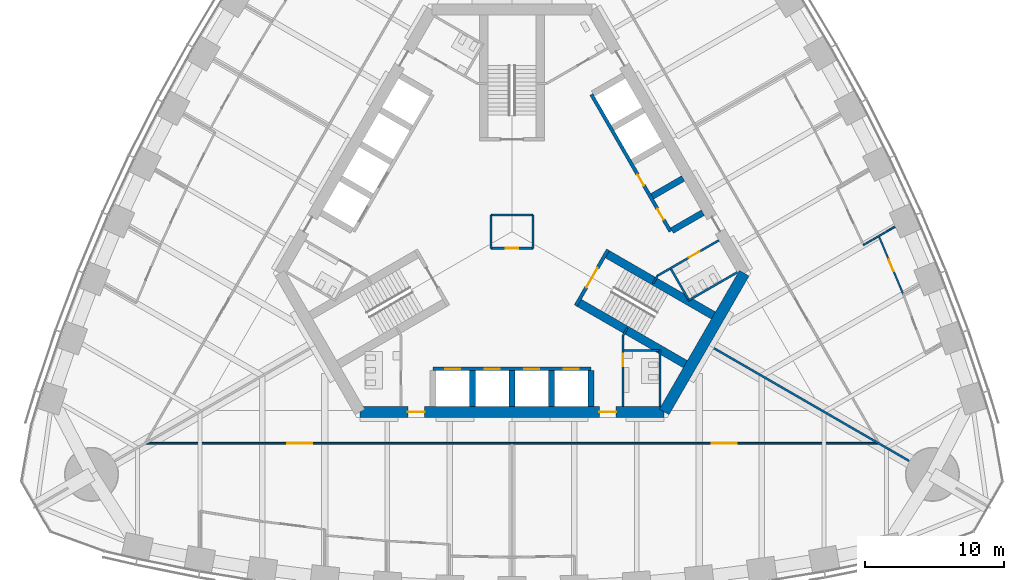
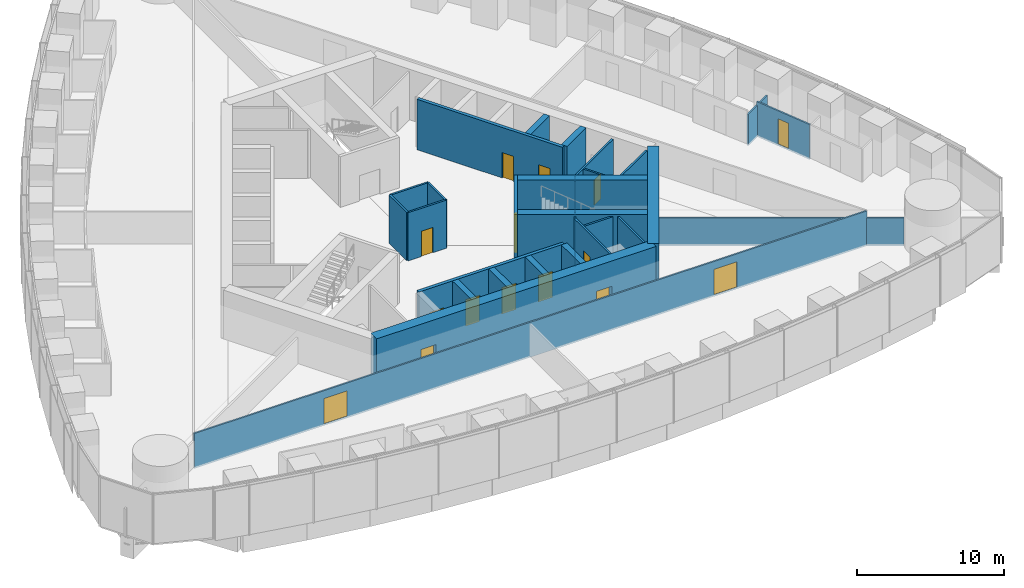
# One storey, part 11 of 18: 29 walls, 15 doors, 15 openings.
"""IFC4 building model written with IfcOpenShell, lengths in metres."""

from ifc_helpers import new_model, si_unit, direction, frame, frame_2d, origin, place, context, subcontext, project, spatial, rectangle, extrude, material, layer, layer_set, type_object, element, fill, save


model = new_model("IFC4")

# Units and contexts
model_context = context("Model", 3, precision=1e-05, world=origin(), true_north=direction((0.0, 1.0)))
body_context = subcontext(model_context, "Body", "Model", "MODEL_VIEW")
ifc_project = project(units=[si_unit("LENGTHUNIT", "METRE"), si_unit("AREAUNIT", "SQUARE_METRE"), si_unit("VOLUMEUNIT", "CUBIC_METRE"), si_unit("PLANEANGLEUNIT", "RADIAN"), si_unit("MASSUNIT", "GRAM", prefix="KILO")], contexts=[model_context])

# Site, building, storey
site_placement = place(None, origin())
site = spatial("IfcSite", under=ifc_project, at=site_placement, CompositionType="ELEMENT")
building_placement = place(site_placement, origin())
building = spatial("IfcBuilding", under=site, at=building_placement, Name="Trefoil Bronze Tower", CompositionType="ELEMENT")
storey_placement = place(building_placement, frame((0.0, 0.0, 161.89990234375)))
storey = spatial("IfcBuildingStorey", under=building, at=storey_placement, Name="L37", CompositionType="ELEMENT", Elevation=161.89990234375)

# Wall, openings, doors
ifc_material_1 = material(Name="Concrete B80", Category="concrete")
ifc_layer_1 = layer(ifc_material_1, 0.800048828125)
ifc_layer_set_1 = layer_set([ifc_layer_1], Name="Core wall 800")
wall_type_1 = type_object("IfcWallType", Name="Core wall 800", PredefinedType="SHEAR", material=ifc_layer_set_1)
wall_1_placement = place(storey_placement, frame((-10.9697265625, -13.0, 0.0), z_axis=(0.0, 0.0, 1.0), x_axis=(1.0, 0.0, 0.0)))
wall_1 = element("IfcWall", 1, at=wall_1_placement, inside=storey, type_object=wall_type_1, Name="Core long wall 1 L37", PredefinedType="SHEAR", context=body_context, shape_type="SweptSolid", body=[
    extrude(rectangle(XDim=21.939453125, YDim=0.800048828125, at=frame_2d((10.9697265625, 0.0))), origin(), (0.0, 0.0, 1.0), 4.2001953125),
])
opening_1_placement = place(wall_1_placement, frame((17.269775390625, 0.0, 0.0)))
opening_1 = element("IfcOpeningElement", 2, at=opening_1_placement, cuts=wall_1, Name="Opening D2", PredefinedType="OPENING", context=body_context, shape_type="SweptSolid", body=[
    extrude(rectangle(XDim=1.199951171875, YDim=2.10009765625, at=frame_2d((0.60009765625, 1.050048828125))), frame((0.0, 0.409912109375, 0.0), z_axis=(0.0, -1.0, 0.0), x_axis=(1.0, 0.0, 0.0)), (0.0, 0.0, 1.0), 0.820068359375),
])
opening_2_placement = place(wall_1_placement, frame((3.4697265625, 0.0, 0.0)))
opening_2 = element("IfcOpeningElement", 3, at=opening_2_placement, cuts=wall_1, Name="Opening D2", PredefinedType="OPENING", context=body_context, shape_type="SweptSolid", body=[
    extrude(rectangle(XDim=1.199951171875, YDim=2.10009765625, at=frame_2d((0.60009765625, 1.050048828125))), frame((0.0, 0.409912109375, 0.0), z_axis=(0.0, -1.0, 0.0), x_axis=(1.0, 0.0, 0.0)), (0.0, 0.0, 1.0), 0.820068359375),
])
ifc_material_2 = material(Name="Steel door", Category="steel")
door_type_1 = type_object("IfcDoorType", Name="Lobby door 1200", OperationType="SINGLE_SWING_RIGHT", PredefinedType="DOOR", material=ifc_material_2)
door_1_placement = place(opening_1_placement, origin())
door_1 = element("IfcDoor", 4, at=door_1_placement, inside=storey, type_object=door_type_1, Name="Lobby door F1+ L37", OperationType="SINGLE_SWING_RIGHT", OverallHeight=2.10009765625, OverallWidth=1.199951171875, PredefinedType="DOOR", context=body_context, shape_type="SweptSolid", body=[
    extrude(rectangle(XDim=1.199951171875, YDim=2.10009765625, at=frame_2d((0.60009765625, 1.050048828125))), frame((0.0, 0.02490234375, 0.0), z_axis=(0.0, -1.0, 0.0), x_axis=(1.0, 0.0, 0.0)), (0.0, 0.0, 1.0), 0.050048828125),
])
fill(opening_1, door_1)
door_2_placement = place(opening_2_placement, origin())
door_2 = element("IfcDoor", 5, at=door_2_placement, inside=storey, type_object=door_type_1, Name="Lobby door F1- L37", OperationType="SINGLE_SWING_LEFT", OverallHeight=2.10009765625, OverallWidth=1.199951171875, PredefinedType="DOOR", context=body_context, shape_type="SweptSolid", body=[
    extrude(rectangle(XDim=1.199951171875, YDim=2.10009765625, at=frame_2d((0.60009765625, 1.050048828125))), frame((0.0, 0.02490234375, 0.0), z_axis=(0.0, -1.0, 0.0), x_axis=(1.0, 0.0, 0.0)), (0.0, 0.0, 1.0), 0.050048828125),
])
fill(opening_2, door_2)

# Wall
wall_2_placement = place(storey_placement, frame((10.9697265625, -13.0, 0.0), z_axis=(0.0, 0.0, 1.0), x_axis=(0.499995765644, 0.866027848477, 0.0)))
element("IfcWall", 6, at=wall_2_placement, inside=storey, type_object=wall_type_1, Name="Core short wall 1 L37", PredefinedType="SHEAR", context=body_context, shape_type="SweptSolid", body=[
    extrude(rectangle(XDim=11.546875, YDim=0.800048828125, at=frame_2d((5.7734375, 0.0))), origin(), (0.0, 0.0, 1.0), 4.2001953125),
])

# Wall, openings, doors
ifc_material_3 = material(Name="Glazed partition", Category="glass")
ifc_layer_2 = layer(ifc_material_3, 0.1201171875)
ifc_layer_set_2 = layer_set([ifc_layer_2], Name="Glazed partition 120")
wall_type_2 = type_object("IfcWallType", Name="Glazed partition 120", PredefinedType="PARTITIONING", material=ifc_layer_set_2)
wall_3_placement = place(storey_placement, frame((-26.398193359375, -15.260009765625, 0.0), z_axis=(0.0, 0.0, 1.0), x_axis=(1.0, 0.0, 0.0)))
wall_3 = element("IfcWall", 7, at=wall_3_placement, inside=storey, type_object=wall_type_2, Name="Partition F1 L37", PredefinedType="PARTITIONING", context=body_context, shape_type="SweptSolid", body=[
    extrude(rectangle(XDim=52.79638671875, YDim=0.1201171875, at=frame_2d((26.398193359375, 0.0))), origin(), (0.0, 0.0, 1.0), 2.900146484375),
])
opening_3_placement = place(wall_3_placement, frame((10.199951171875, 0.0, 0.14990234375)))
opening_3 = element("IfcOpeningElement", 8, at=opening_3_placement, cuts=wall_3, Name="Opening D10", PredefinedType="OPENING", context=body_context, shape_type="SweptSolid", body=[
    extrude(rectangle(XDim=1.800048828125, YDim=2.10009765625, at=frame_2d((0.89990234375, 1.050048828125))), frame((0.0, 0.070068359375, 0.0), z_axis=(0.0, -1.0, 0.0), x_axis=(1.0, 0.0, 0.0)), (0.0, 0.0, 1.0), 0.14013671875),
])
opening_4_placement = place(wall_3_placement, frame((40.800048828125, 0.0, 0.14990234375)))
opening_4 = element("IfcOpeningElement", 9, at=opening_4_placement, cuts=wall_3, Name="Opening D10", PredefinedType="OPENING", context=body_context, shape_type="SweptSolid", body=[
    extrude(rectangle(XDim=1.800048828125, YDim=2.10009765625, at=frame_2d((0.89990234375, 1.050048828125))), frame((0.0, 0.070068359375, 0.0), z_axis=(0.0, -1.0, 0.0), x_axis=(1.0, 0.0, 0.0)), (0.0, 0.0, 1.0), 0.14013671875),
])
ifc_material_4 = material(Name="Timber door", Category="wood")
door_type_2 = type_object("IfcDoorType", Name="Double door 1800", OperationType="DOUBLE_DOOR_SINGLE_SWING", PredefinedType="DOOR", material=ifc_material_4)
door_3_placement = place(opening_3_placement, frame((1.800048828125, 0.0, 0.0), z_axis=(0.0, 0.0, 1.0), x_axis=(-1.0, 0.0, 0.0)))
door_3 = element("IfcDoor", 10, at=door_3_placement, inside=storey, type_object=door_type_2, Name="Corridor door F1 L37", OperationType="DOUBLE_DOOR_SINGLE_SWING", OverallHeight=2.10009765625, OverallWidth=1.800048828125, PredefinedType="DOOR", context=body_context, shape_type="SweptSolid", body=[
    extrude(rectangle(XDim=1.800048828125, YDim=2.10009765625, at=frame_2d((0.89990234375, 1.050048828125))), frame((0.0, 0.02490234375, 0.0), z_axis=(0.0, -1.0, 0.0), x_axis=(1.0, 0.0, 0.0)), (0.0, 0.0, 1.0), 0.050048828125),
])
fill(opening_3, door_3)
door_4_placement = place(opening_4_placement, frame((1.800048828125, 0.0, 0.0), z_axis=(0.0, 0.0, 1.0), x_axis=(-1.0, 0.0, 0.0)))
door_4 = element("IfcDoor", 11, at=door_4_placement, inside=storey, type_object=door_type_2, Name="Corridor door F1 L37", OperationType="DOUBLE_DOOR_SINGLE_SWING", OverallHeight=2.10009765625, OverallWidth=1.800048828125, PredefinedType="DOOR", context=body_context, shape_type="SweptSolid", body=[
    extrude(rectangle(XDim=1.800048828125, YDim=2.10009765625, at=frame_2d((0.89990234375, 1.050048828125))), frame((0.0, 0.02490234375, 0.0), z_axis=(0.0, -1.0, 0.0), x_axis=(1.0, 0.0, 0.0)), (0.0, 0.0, 1.0), 0.050048828125),
])
fill(opening_4, door_4)

# Wall, opening, door
wall_4_placement = place(storey_placement, frame((28.2001953125, -4.503173828125, 0.0), z_axis=(0.0, 0.0, 1.0), x_axis=(-0.386742917128, 0.92218757097, 0.0)))
wall_4 = element("IfcWall", 12, at=wall_4_placement, inside=storey, type_object=wall_type_2, Name="Partition F2 L37", PredefinedType="PARTITIONING", context=body_context, shape_type="SweptSolid", body=[
    extrude(rectangle(XDim=4.536376953125, YDim=0.1201171875, at=frame_2d((2.26806640625, 0.0))), origin(), (0.0, 0.0, 1.0), 2.900146484375),
])
opening_5_placement = place(wall_4_placement, frame((1.800048828125, 0.0, 0.14990234375)))
opening_5 = element("IfcOpeningElement", 13, at=opening_5_placement, cuts=wall_4, Name="Opening D8", PredefinedType="OPENING", context=body_context, shape_type="SweptSolid", body=[
    extrude(rectangle(XDim=0.89990234375, YDim=2.10009765625, at=frame_2d((0.449951171875, 1.050048828125))), frame((0.0, 0.070068359375, 0.0), z_axis=(0.0, -1.0, 0.0), x_axis=(1.0, 0.0, 0.0)), (0.0, 0.0, 1.0), 0.14013671875),
])
ifc_material_5 = material(Name="Timber door", Category="wood")
door_type_3 = type_object("IfcDoorType", Name="Office door 900", OperationType="SINGLE_SWING_LEFT", PredefinedType="DOOR", material=ifc_material_5)
door_5_placement = place(opening_5_placement, frame((0.89990234375, 0.0, 0.0), z_axis=(0.0, 0.0, 1.0), x_axis=(-1.0, 0.0, 0.0)))
door_5 = element("IfcDoor", 14, at=door_5_placement, inside=storey, type_object=door_type_3, Name="Focus room door F2 L37", OperationType="SINGLE_SWING_RIGHT", OverallHeight=2.10009765625, OverallWidth=0.89990234375, PredefinedType="DOOR", context=body_context, shape_type="SweptSolid", body=[
    extrude(rectangle(XDim=0.89990234375, YDim=2.10009765625, at=frame_2d((0.449951171875, 1.050048828125))), frame((0.0, 0.02490234375, 0.0), z_axis=(0.0, -1.0, 0.0), x_axis=(1.0, 0.0, 0.0)), (0.0, 0.0, 1.0), 0.050048828125),
])
fill(opening_5, door_5)

# Walls
wall_5_placement = place(storey_placement, frame((25.341552734375, -0.95751953125, 0.0), z_axis=(0.0, 0.0, 1.0), x_axis=(0.866036074319, 0.499981517636, 0.0)))
element("IfcWall", 15, at=wall_5_placement, inside=storey, type_object=wall_type_2, Name="Partition F2 L37", PredefinedType="PARTITIONING", context=body_context, shape_type="SweptSolid", body=[
    extrude(rectangle(XDim=2.6103515625, YDim=0.1201171875, at=frame_2d((1.30517578125, 0.0))), origin(), (0.0, 0.0, 1.0), 2.60009765625),
])
ifc_material_6 = material(Name="Concrete B80", Category="concrete")
ifc_layer_3 = layer(ifc_material_6, 0.449951171875)
ifc_layer_set_3 = layer_set([ifc_layer_3], Name="Outrigger shaft wall 450")
wall_type_3 = type_object("IfcWallType", Name="Outrigger shaft wall 450", PredefinedType="SHEAR", material=ifc_layer_set_3)
for number, where, z_axis, x_axis, name in (
    (16, (-2.85009765625, -10.02490234375, 0.0), (0.0, 0.0, 1.0), (0.0, -1.0, 0.0), "Lift shaft side wall A1 L37"),
    (17, (0.0, -10.02490234375, 0.0), (0.0, 0.0, 1.0), (0.0, -1.0, 0.0), "Lift shaft side wall A2 L37"),
    (18, (2.85009765625, -10.02490234375, 0.0), (0.0, 0.0, 1.0), (0.0, -1.0, 0.0), "Lift shaft side wall A3 L37"),
    (19, (5.699951171875, -10.02490234375, 0.0), (0.0, 0.0, 1.0), (0.0, -1.0, 0.0), "Lift shaft side wall A4 L37"),
):
    element("IfcWall", number, at=place(storey_placement, frame(where, z_axis=z_axis, x_axis=x_axis)), inside=storey, type_object=wall_type_3, Name=name, PredefinedType="SHEAR", context=body_context, shape_type="SweptSolid", body=[
        extrude(rectangle(XDim=2.5751953125, YDim=0.449951171875, at=frame_2d((1.28759765625, 0.0))), origin(), (0.0, 0.0, 1.0), 4.2001953125),
    ])
for number, where, z_axis, x_axis, name in (
    (20, (11.531982421875, 0.076171875, 0.0), (0.0, 0.0, 1.0), (0.866005588531, 0.500034319456, 0.0), "Lift shaft side wall B0 L37"),
    (21, (10.10693359375, 2.54443359375, 0.0), (0.0, 0.0, 1.0), (0.866046643894, 0.499963209246, 0.0), "Lift shaft side wall B1 L37"),
):
    element("IfcWall", number, at=place(storey_placement, frame(where, z_axis=z_axis, x_axis=x_axis)), inside=storey, type_object=wall_type_3, Name=name, PredefinedType="SHEAR", context=body_context, shape_type="SweptSolid", body=[
        extrude(rectangle(XDim=2.574951171875, YDim=0.449951171875, at=frame_2d((1.28759765625, 0.0))), origin(), (0.0, 0.0, 1.0), 4.2001953125),
    ])

# Wall, opening, door
ifc_material_7 = material(Name="Gypsum board on steel studs", Category="steel")
ifc_layer_4 = layer(ifc_material_7, 0.14990234375)
ifc_layer_set_4 = layer_set([ifc_layer_4], Name="Partition 150")
wall_type_4 = type_object("IfcWallType", Name="Partition 150", PredefinedType="PARTITIONING", material=ifc_layer_set_4)
wall_6_placement = place(storey_placement, frame((8.0, -7.5, 0.0), z_axis=(0.0, 0.0, 1.0), x_axis=(0.0, -1.0, 0.0)))
wall_6 = element("IfcWall", 22, at=wall_6_placement, inside=storey, type_object=wall_type_4, Name="Passage wall F1+ L37", PredefinedType="PARTITIONING", context=body_context, shape_type="SweptSolid", body=[
    extrude(rectangle(XDim=5.10009765625, YDim=0.14990234375, at=frame_2d((2.550048828125, 0.0))), origin(), (0.0, 0.0, 1.0), 4.0),
])
opening_6_placement = place(wall_6_placement, frame((1.300048828125, 0.0, 0.0)))
opening_6 = element("IfcOpeningElement", 23, at=opening_6_placement, cuts=wall_6, Name="Opening D3", PredefinedType="OPENING", context=body_context, shape_type="SweptSolid", body=[
    extrude(rectangle(XDim=0.89990234375, YDim=2.10009765625, at=frame_2d((0.449951171875, 1.050048828125))), frame((0.0, 0.0849609375, 0.0), z_axis=(0.0, -1.0, 0.0), x_axis=(1.0, 0.0, 0.0)), (0.0, 0.0, 1.0), 0.169921875),
])
ifc_material_8 = material(Name="Timber door", Category="wood")
door_type_4 = type_object("IfcDoorType", Name="WC door 900", OperationType="SINGLE_SWING_LEFT", PredefinedType="DOOR", material=ifc_material_8)
door_6_placement = place(opening_6_placement, origin())
door_6 = element("IfcDoor", 24, at=door_6_placement, inside=storey, type_object=door_type_4, Name="WC (men) door L37", OperationType="SINGLE_SWING_LEFT", OverallHeight=2.10009765625, OverallWidth=0.89990234375, PredefinedType="DOOR", context=body_context, shape_type="SweptSolid", body=[
    extrude(rectangle(XDim=0.89990234375, YDim=2.10009765625, at=frame_2d((0.449951171875, 1.050048828125))), frame((0.0, 0.02490234375, 0.0), z_axis=(0.0, -1.0, 0.0), x_axis=(1.0, 0.0, 0.0)), (0.0, 0.0, 1.0), 0.050048828125),
])
fill(opening_6, door_6)

wall_7_placement = place(storey_placement, frame((10.4951171875, -3.17822265625, 0.0), z_axis=(0.0, 0.0, 1.0), x_axis=(0.86602216432, 0.500005610874, 0.0)))
wall_7 = element("IfcWall", 25, at=wall_7_placement, inside=storey, type_object=wall_type_4, Name="Passage wall F2- L37", PredefinedType="PARTITIONING", context=body_context, shape_type="SweptSolid", body=[
    extrude(rectangle(XDim=5.10009765625, YDim=0.14990234375, at=frame_2d((2.550048828125, 0.0))), origin(), (0.0, 0.0, 1.0), 4.0),
])
opening_7_placement = place(wall_7_placement, frame((2.60009765625, 0.0, 0.0)))
opening_7 = element("IfcOpeningElement", 26, at=opening_7_placement, cuts=wall_7, Name="Opening D3", PredefinedType="OPENING", context=body_context, shape_type="SweptSolid", body=[
    extrude(rectangle(XDim=0.89990234375, YDim=2.10009765625, at=frame_2d((0.449951171875, 1.050048828125))), frame((0.0, 0.0849609375, 0.0), z_axis=(0.0, -1.0, 0.0), x_axis=(1.0, 0.0, 0.0)), (0.0, 0.0, 1.0), 0.169921875),
])
door_7_placement = place(opening_7_placement, frame((0.89990234375, 0.0, 0.0), z_axis=(0.0, 0.0, 1.0), x_axis=(-1.0, 0.0, 0.0)))
door_7 = element("IfcDoor", 27, at=door_7_placement, inside=storey, type_object=door_type_4, Name="WC (women) door L37", OperationType="SINGLE_SWING_RIGHT", OverallHeight=2.10009765625, OverallWidth=0.89990234375, PredefinedType="DOOR", context=body_context, shape_type="SweptSolid", body=[
    extrude(rectangle(XDim=0.89990234375, YDim=2.10009765625, at=frame_2d((0.449951171875, 1.050048828125))), frame((0.0, 0.02490234375, 0.0), z_axis=(0.0, -1.0, 0.0), x_axis=(1.0, 0.0, 0.0)), (0.0, 0.0, 1.0), 0.050048828125),
])
fill(opening_7, door_7)

# Walls
for number, where, z_axis, x_axis, name in (
    (28, (8.0, -7.5, 0.0), (0.0, 0.0, 1.0), (0.499842556608, 0.866116284689, 0.0), "WC wall ST1-1 L37"),
    (29, (10.4951171875, -3.17822265625, 0.0), (0.0, 0.0, 1.0), (-0.499842556608, -0.866116284689, 0.0), "WC wall ST1+1 L37"),
):
    element("IfcWall", number, at=place(storey_placement, frame(where, z_axis=z_axis, x_axis=x_axis)), inside=storey, type_object=wall_type_4, Name=name, PredefinedType="PARTITIONING", context=body_context, shape_type="SweptSolid", body=[
        extrude(rectangle(XDim=0.645263671875, YDim=0.14990234375, at=frame_2d((0.32275390625, 0.0))), origin(), (0.0, 0.0, 1.0), 4.0),
    ])
wall_8_placement = place(storey_placement, frame((10.659912109375, -8.5, 0.0), z_axis=(0.0, 0.0, 1.0), x_axis=(0.0, -1.0, 0.0)))
element("IfcWall", 30, at=wall_8_placement, inside=storey, type_object=wall_type_4, Name="WC partition WC (men) L37", PredefinedType="PARTITIONING", context=body_context, shape_type="SweptSolid", body=[
    extrude(rectangle(XDim=4.10009765625, YDim=0.14990234375, at=frame_2d((2.050048828125, 0.0))), origin(), (0.0, 0.0, 1.0), 4.0),
])
wall_9_placement = place(storey_placement, frame((8.074951171875, -8.574951171875, 0.0), z_axis=(0.0, 0.0, 1.0), x_axis=(1.0, 0.0, 0.0)))
element("IfcWall", 31, at=wall_9_placement, inside=storey, type_object=wall_type_4, Name="WC partition WC (men) L37", PredefinedType="PARTITIONING", context=body_context, shape_type="SweptSolid", body=[
    extrude(rectangle(XDim=2.510009765625, YDim=0.14990234375, at=frame_2d((1.2548828125, 0.0))), origin(), (0.0, 0.0, 1.0), 4.0),
])
wall_10_placement = place(storey_placement, frame((12.691162109375, -4.98193359375, 0.0), z_axis=(0.0, 0.0, 1.0), x_axis=(0.8660249478, 0.500000789788, 0.0)))
element("IfcWall", 32, at=wall_10_placement, inside=storey, type_object=wall_type_4, Name="WC partition WC (women) L37", PredefinedType="PARTITIONING", context=body_context, shape_type="SweptSolid", body=[
    extrude(rectangle(XDim=4.10009765625, YDim=0.14990234375, at=frame_2d((2.050048828125, 0.0))), origin(), (0.0, 0.0, 1.0), 4.0),
])
wall_11_placement = place(storey_placement, frame((11.463623046875, -2.70556640625, 0.0), z_axis=(0.0, 0.0, 1.0), x_axis=(0.50001992892, -0.866013897511, 0.0)))
element("IfcWall", 33, at=wall_11_placement, inside=storey, type_object=wall_type_4, Name="WC partition WC (women) L37", PredefinedType="PARTITIONING", context=body_context, shape_type="SweptSolid", body=[
    extrude(rectangle(XDim=2.51025390625, YDim=0.14990234375, at=frame_2d((1.255126953125, 0.0))), origin(), (0.0, 0.0, 1.0), 4.0),
])
ifc_material_9 = material(Name="Gypsum board on steel studs", Category="steel")
ifc_layer_5 = layer(ifc_material_9, 0.14990234375)
ifc_layer_set_5 = layer_set([ifc_layer_5], Name="Party wall 150")
wall_type_5 = type_object("IfcWallType", Name="Party wall 150", PredefinedType="PARTITIONING", material=ifc_layer_set_5)
wall_12_placement = place(storey_placement, frame((14.202880859375, -8.199951171875, 0.0), z_axis=(0.0, 0.0, 1.0), x_axis=(0.866024668836, -0.500001272966, 0.0)))
element("IfcWall", 34, at=wall_12_placement, inside=storey, type_object=wall_type_5, Name="Party wall K1 L37", PredefinedType="PARTITIONING", context=body_context, shape_type="SweptSolid", body=[
    extrude(rectangle(XDim=16.64990234375, YDim=0.14990234375, at=frame_2d((8.324951171875, 0.0))), origin(), (0.0, 0.0, 1.0), 2.300048828125),
])

# Wall, opening, door
ifc_material_10 = material(Name="Gypsum board on steel studs", Category="steel")
ifc_layer_6 = layer(ifc_material_10, 0.14990234375)
ifc_layer_set_6 = layer_set([ifc_layer_6], Name="Riser wall 150")
wall_type_6 = type_object("IfcWallType", Name="Riser wall 150", PredefinedType="PARTITIONING", material=ifc_layer_set_6)
wall_13_placement = place(storey_placement, frame((-1.5, -1.199951171875, 0.0), z_axis=(0.0, 0.0, 1.0), x_axis=(1.0, 0.0, 0.0)))
wall_13 = element("IfcWall", 35, at=wall_13_placement, inside=storey, type_object=wall_type_6, Name="Riser wall L37", PredefinedType="PARTITIONING", context=body_context, shape_type="SweptSolid", body=[
    extrude(rectangle(XDim=3.0, YDim=0.14990234375, at=frame_2d((1.5, 0.0))), origin(), (0.0, 0.0, 1.0), 4.0),
])
opening_8_placement = place(wall_13_placement, frame((1.050048828125, 0.0, 0.0)))
opening_8 = element("IfcOpeningElement", 36, at=opening_8_placement, cuts=wall_13, Name="Opening D4", PredefinedType="OPENING", context=body_context, shape_type="SweptSolid", body=[
    extrude(rectangle(XDim=0.89990234375, YDim=2.10009765625, at=frame_2d((0.449951171875, 1.050048828125))), frame((0.0, 0.0849609375, 0.0), z_axis=(0.0, -1.0, 0.0), x_axis=(1.0, 0.0, 0.0)), (0.0, 0.0, 1.0), 0.169921875),
])
ifc_material_11 = material(Name="Steel door", Category="steel")
door_type_5 = type_object("IfcDoorType", Name="Riser door 900", OperationType="SINGLE_SWING_LEFT", PredefinedType="DOOR", material=ifc_material_11)
door_8_placement = place(opening_8_placement, frame((0.89990234375, 0.0, 0.0), z_axis=(0.0, 0.0, 1.0), x_axis=(-1.0, 0.0, 0.0)))
door_8 = element("IfcDoor", 37, at=door_8_placement, inside=storey, type_object=door_type_5, Name="Riser door L37", OperationType="SINGLE_SWING_LEFT", OverallHeight=2.10009765625, OverallWidth=0.89990234375, PredefinedType="DOOR", context=body_context, shape_type="SweptSolid", body=[
    extrude(rectangle(XDim=0.89990234375, YDim=2.10009765625, at=frame_2d((0.449951171875, 1.050048828125))), frame((0.0, 0.02490234375, 0.0), z_axis=(0.0, -1.0, 0.0), x_axis=(1.0, 0.0, 0.0)), (0.0, 0.0, 1.0), 0.050048828125),
])
fill(opening_8, door_8)

# Walls
wall_14_placement = place(storey_placement, frame((1.5, -1.199951171875, 0.0), z_axis=(0.0, 0.0, 1.0), x_axis=(0.0, 1.0, 0.0)))
element("IfcWall", 38, at=wall_14_placement, inside=storey, type_object=wall_type_6, Name="Riser wall L37", PredefinedType="PARTITIONING", context=body_context, shape_type="SweptSolid", body=[
    extrude(rectangle(XDim=2.39990234375, YDim=0.14990234375, at=frame_2d((1.199951171875, 0.0))), origin(), (0.0, 0.0, 1.0), 4.0),
])
wall_15_placement = place(storey_placement, frame((1.5, 1.199951171875, 0.0), z_axis=(0.0, 0.0, 1.0), x_axis=(-1.0, 0.0, 0.0)))
element("IfcWall", 39, at=wall_15_placement, inside=storey, type_object=wall_type_6, Name="Riser wall L37", PredefinedType="PARTITIONING", context=body_context, shape_type="SweptSolid", body=[
    extrude(rectangle(XDim=3.0, YDim=0.14990234375, at=frame_2d((1.5, 0.0))), origin(), (0.0, 0.0, 1.0), 4.0),
])
wall_16_placement = place(storey_placement, frame((-1.5, 1.199951171875, 0.0), z_axis=(0.0, 0.0, 1.0), x_axis=(0.0, -1.0, 0.0)))
element("IfcWall", 40, at=wall_16_placement, inside=storey, type_object=wall_type_6, Name="Riser wall L37", PredefinedType="PARTITIONING", context=body_context, shape_type="SweptSolid", body=[
    extrude(rectangle(XDim=2.39990234375, YDim=0.14990234375, at=frame_2d((1.199951171875, 0.0))), origin(), (0.0, 0.0, 1.0), 4.0),
])

# Wall, openings, doors
ifc_material_12 = material(Name="Concrete B80", Category="concrete")
ifc_layer_7 = layer(ifc_material_12, 0.25)
ifc_layer_set_7 = layer_set([ifc_layer_7], Name="Shaft wall 250")
wall_type_7 = type_object("IfcWallType", Name="Shaft wall 250", PredefinedType="SHEAR", material=ifc_layer_set_7)
wall_17_placement = place(storey_placement, frame((-5.699951171875, -9.89990234375, 0.0), z_axis=(0.0, 0.0, 1.0), x_axis=(1.0, 0.0, 0.0)))
wall_17 = element("IfcWall", 41, at=wall_17_placement, inside=storey, type_object=wall_type_7, Name="Lift shaft front wall A L37", PredefinedType="SHEAR", context=body_context, shape_type="SweptSolid", body=[
    extrude(rectangle(XDim=11.39990234375, YDim=0.25, at=frame_2d((5.699951171875, 0.0))), origin(), (0.0, 0.0, 1.0), 4.2001953125),
])
opening_9_placement = place(wall_17_placement, frame((0.875, 0.0, 0.0)))
opening_9 = element("IfcOpeningElement", 42, at=opening_9_placement, cuts=wall_17, Name="Opening LD-P21", PredefinedType="OPENING", context=body_context, shape_type="SweptSolid", body=[
    extrude(rectangle(XDim=1.10009765625, YDim=2.199951171875, at=frame_2d((0.550048828125, 1.10009765625))), frame((0.0, 0.135009765625, 0.0), z_axis=(0.0, -1.0, 0.0), x_axis=(1.0, 0.0, 0.0)), (0.0, 0.0, 1.0), 0.27001953125),
])
opening_10_placement = place(wall_17_placement, frame((3.72509765625, 0.0, 0.0)))
opening_10 = element("IfcOpeningElement", 43, at=opening_10_placement, cuts=wall_17, Name="Opening LD-P22", PredefinedType="OPENING", context=body_context, shape_type="SweptSolid", body=[
    extrude(rectangle(XDim=1.10009765625, YDim=2.199951171875, at=frame_2d((0.550048828125, 1.10009765625))), frame((0.0, 0.135009765625, 0.0), z_axis=(0.0, -1.0, 0.0), x_axis=(1.0, 0.0, 0.0)), (0.0, 0.0, 1.0), 0.27001953125),
])
opening_11_placement = place(wall_17_placement, frame((6.574951171875, 0.0, 0.0)))
opening_11 = element("IfcOpeningElement", 44, at=opening_11_placement, cuts=wall_17, Name="Opening LD-P23", PredefinedType="OPENING", context=body_context, shape_type="SweptSolid", body=[
    extrude(rectangle(XDim=1.10009765625, YDim=2.199951171875, at=frame_2d((0.550048828125, 1.10009765625))), frame((0.0, 0.135009765625, 0.0), z_axis=(0.0, -1.0, 0.0), x_axis=(1.0, 0.0, 0.0)), (0.0, 0.0, 1.0), 0.27001953125),
])
opening_12_placement = place(wall_17_placement, frame((9.425048828125, 0.0, 0.0)))
opening_12 = element("IfcOpeningElement", 45, at=opening_12_placement, cuts=wall_17, Name="Opening LD-P24", PredefinedType="OPENING", context=body_context, shape_type="SweptSolid", body=[
    extrude(rectangle(XDim=1.10009765625, YDim=2.199951171875, at=frame_2d((0.550048828125, 1.10009765625))), frame((0.0, 0.135009765625, 0.0), z_axis=(0.0, -1.0, 0.0), x_axis=(1.0, 0.0, 0.0)), (0.0, 0.0, 1.0), 0.27001953125),
])
ifc_material_13 = material(Name="Steel door", Category="steel")
door_type_6 = type_object("IfcDoorType", Name="Lift landing door 1100", OperationType="DOUBLE_DOOR_SLIDING", PredefinedType="DOOR", material=ifc_material_13)
door_9_placement = place(opening_9_placement, origin())
door_9 = element("IfcDoor", 46, at=door_9_placement, inside=storey, type_object=door_type_6, Name="Lift P21 landing door L37", OperationType="DOUBLE_DOOR_SLIDING", OverallHeight=2.199951171875, OverallWidth=1.10009765625, PredefinedType="DOOR", context=body_context, shape_type="SweptSolid", body=[
    extrude(rectangle(XDim=1.10009765625, YDim=2.199951171875, at=frame_2d((0.550048828125, 1.10009765625))), frame((0.0, 0.02490234375, 0.0), z_axis=(0.0, -1.0, 0.0), x_axis=(1.0, 0.0, 0.0)), (0.0, 0.0, 1.0), 0.050048828125),
])
fill(opening_9, door_9)
door_10_placement = place(opening_10_placement, origin())
door_10 = element("IfcDoor", 47, at=door_10_placement, inside=storey, type_object=door_type_6, Name="Lift P22 landing door L37", OperationType="DOUBLE_DOOR_SLIDING", OverallHeight=2.199951171875, OverallWidth=1.10009765625, PredefinedType="DOOR", context=body_context, shape_type="SweptSolid", body=[
    extrude(rectangle(XDim=1.10009765625, YDim=2.199951171875, at=frame_2d((0.550048828125, 1.10009765625))), frame((0.0, 0.02490234375, 0.0), z_axis=(0.0, -1.0, 0.0), x_axis=(1.0, 0.0, 0.0)), (0.0, 0.0, 1.0), 0.050048828125),
])
fill(opening_10, door_10)
door_11_placement = place(opening_11_placement, origin())
door_11 = element("IfcDoor", 48, at=door_11_placement, inside=storey, type_object=door_type_6, Name="Lift P23 landing door L37", OperationType="DOUBLE_DOOR_SLIDING", OverallHeight=2.199951171875, OverallWidth=1.10009765625, PredefinedType="DOOR", context=body_context, shape_type="SweptSolid", body=[
    extrude(rectangle(XDim=1.10009765625, YDim=2.199951171875, at=frame_2d((0.550048828125, 1.10009765625))), frame((0.0, 0.02490234375, 0.0), z_axis=(0.0, -1.0, 0.0), x_axis=(1.0, 0.0, 0.0)), (0.0, 0.0, 1.0), 0.050048828125),
])
fill(opening_11, door_11)
door_12_placement = place(opening_12_placement, origin())
door_12 = element("IfcDoor", 49, at=door_12_placement, inside=storey, type_object=door_type_6, Name="Lift P24 landing door L37", OperationType="DOUBLE_DOOR_SLIDING", OverallHeight=2.199951171875, OverallWidth=1.10009765625, PredefinedType="DOOR", context=body_context, shape_type="SweptSolid", body=[
    extrude(rectangle(XDim=1.10009765625, YDim=2.199951171875, at=frame_2d((0.550048828125, 1.10009765625))), frame((0.0, 0.02490234375, 0.0), z_axis=(0.0, -1.0, 0.0), x_axis=(1.0, 0.0, 0.0)), (0.0, 0.0, 1.0), 0.050048828125),
])
fill(opening_12, door_12)

wall_18_placement = place(storey_placement, frame((11.423583984375, 0.013671875, 0.0), z_axis=(0.0, 0.0, 1.0), x_axis=(-0.500001763848, 0.866024385424, 0.0)))
wall_18 = element("IfcWall", 50, at=wall_18_placement, inside=storey, type_object=wall_type_7, Name="Lift shaft front wall B L37", PredefinedType="SHEAR", context=body_context, shape_type="SweptSolid", body=[
    extrude(rectangle(XDim=11.39990234375, YDim=0.25, at=frame_2d((5.699951171875, 0.0))), origin(), (0.0, 0.0, 1.0), 4.2001953125),
])
opening_13_placement = place(wall_18_placement, frame((0.97509765625, 0.0, 0.0)))
opening_13 = element("IfcOpeningElement", 51, at=opening_13_placement, cuts=wall_18, Name="Opening D12", PredefinedType="OPENING", context=body_context, shape_type="SweptSolid", body=[
    extrude(rectangle(XDim=0.89990234375, YDim=2.10009765625, at=frame_2d((0.449951171875, 1.050048828125))), frame((0.0, 0.135009765625, 0.0), z_axis=(0.0, -1.0, 0.0), x_axis=(1.0, 0.0, 0.0)), (0.0, 0.0, 1.0), 0.27001953125),
])
opening_14_placement = place(wall_18_placement, frame((3.824951171875, 0.0, 0.0)))
opening_14 = element("IfcOpeningElement", 52, at=opening_14_placement, cuts=wall_18, Name="Opening D12", PredefinedType="OPENING", context=body_context, shape_type="SweptSolid", body=[
    extrude(rectangle(XDim=0.89990234375, YDim=2.10009765625, at=frame_2d((0.449951171875, 1.050048828125))), frame((0.0, 0.135009765625, 0.0), z_axis=(0.0, -1.0, 0.0), x_axis=(1.0, 0.0, 0.0)), (0.0, 0.0, 1.0), 0.27001953125),
])
ifc_material_14 = material(Name="Steel door", Category="steel")
door_type_7 = type_object("IfcDoorType", Name="Shaft room door 900", OperationType="SINGLE_SWING_LEFT", PredefinedType="DOOR", material=ifc_material_14)
door_13_placement = place(opening_13_placement, frame((0.89990234375, 0.0, 0.0), z_axis=(0.0, 0.0, 1.0), x_axis=(-1.0, 0.0, 0.0)))
door_13 = element("IfcDoor", 53, at=door_13_placement, inside=storey, type_object=door_type_7, Name="Shaft room door B1 L37", OperationType="SINGLE_SWING_LEFT", OverallHeight=2.10009765625, OverallWidth=0.89990234375, PredefinedType="DOOR", context=body_context, shape_type="SweptSolid", body=[
    extrude(rectangle(XDim=0.89990234375, YDim=2.10009765625, at=frame_2d((0.449951171875, 1.050048828125))), frame((0.0, 0.02490234375, 0.0), z_axis=(0.0, -1.0, 0.0), x_axis=(1.0, 0.0, 0.0)), (0.0, 0.0, 1.0), 0.050048828125),
])
fill(opening_13, door_13)
door_14_placement = place(opening_14_placement, frame((0.89990234375, 0.0, 0.0), z_axis=(0.0, 0.0, 1.0), x_axis=(-1.0, 0.0, 0.0)))
door_14 = element("IfcDoor", 54, at=door_14_placement, inside=storey, type_object=door_type_7, Name="Shaft room door B2 L37", OperationType="SINGLE_SWING_RIGHT", OverallHeight=2.10009765625, OverallWidth=0.89990234375, PredefinedType="DOOR", context=body_context, shape_type="SweptSolid", body=[
    extrude(rectangle(XDim=0.89990234375, YDim=2.10009765625, at=frame_2d((0.449951171875, 1.050048828125))), frame((0.0, 0.02490234375, 0.0), z_axis=(0.0, -1.0, 0.0), x_axis=(1.0, 0.0, 0.0)), (0.0, 0.0, 1.0), 0.050048828125),
])
fill(opening_14, door_14)

# Wall, opening, door
wall_19_placement = place(storey_placement, frame((4.5966796875, -5.338623046875, 0.0), z_axis=(0.0, 0.0, 1.0), x_axis=(0.499984536904, 0.866034331223, 0.0)))
wall_19 = element("IfcWall", 55, at=wall_19_placement, inside=storey, type_object=wall_type_7, Name="Stair end wall ST1 L37", PredefinedType="SHEAR", context=body_context, shape_type="SweptSolid", body=[
    extrude(rectangle(XDim=4.650146484375, YDim=0.25, at=frame_2d((2.3251953125, 0.0))), origin(), (0.0, 0.0, 1.0), 4.2001953125),
])
opening_15_placement = place(wall_19_placement, frame((1.52490234375, 0.0, 0.0)))
opening_15 = element("IfcOpeningElement", 56, at=opening_15_placement, cuts=wall_19, Name="Opening D1", PredefinedType="OPENING", context=body_context, shape_type="SweptSolid", body=[
    extrude(rectangle(XDim=1.60009765625, YDim=2.10009765625, at=frame_2d((0.800048828125, 1.050048828125))), frame((0.0, 0.135009765625, 0.0), z_axis=(0.0, -1.0, 0.0), x_axis=(1.0, 0.0, 0.0)), (0.0, 0.0, 1.0), 0.27001953125),
])
ifc_material_15 = material(Name="Steel door", Category="steel")
door_type_8 = type_object("IfcDoorType", Name="Stair door 1600", OperationType="DOUBLE_DOOR_SINGLE_SWING", PredefinedType="DOOR", material=ifc_material_15)
door_15_placement = place(opening_15_placement, frame((1.60009765625, 0.0, 0.0), z_axis=(0.0, 0.0, 1.0), x_axis=(-1.0, 0.0, 0.0)))
door_15 = element("IfcDoor", 57, at=door_15_placement, inside=storey, type_object=door_type_8, Name="Stair door ST1 L37", OperationType="DOUBLE_DOOR_SINGLE_SWING", OverallHeight=2.10009765625, OverallWidth=1.60009765625, PredefinedType="DOOR", context=body_context, shape_type="SweptSolid", body=[
    extrude(rectangle(XDim=1.60009765625, YDim=2.10009765625, at=frame_2d((0.800048828125, 1.050048828125))), frame((0.0, 0.02490234375, 0.0), z_axis=(0.0, -1.0, 0.0), x_axis=(1.0, 0.0, 0.0)), (0.0, 0.0, 1.0), 0.050048828125),
])
fill(opening_15, door_15)

# Walls
ifc_material_16 = material(Name="Concrete B80", Category="concrete")
ifc_layer_8 = layer(ifc_material_16, 0.60009765625)
ifc_layer_set_8 = layer_set([ifc_layer_8], Name="Stair wall 600")
wall_type_8 = type_object("IfcWallType", Name="Stair wall 600", PredefinedType="SHEAR", material=ifc_layer_set_8)
for number, where, z_axis, x_axis, name in (
    (58, (4.638427734375, -5.01611328125, 0.0), (0.0, 0.0, 1.0), (0.866019375473, -0.500010441196, 0.0), "Stair wall ST1 L37"),
    (59, (6.663330078125, -1.5087890625, 0.0), (0.0, 0.0, 1.0), (0.866019375473, -0.500010441196, 0.0), "Stair wall ST1 L37"),
):
    element("IfcWall", number, at=place(storey_placement, frame(where, z_axis=z_axis, x_axis=x_axis)), inside=storey, type_object=wall_type_8, Name=name, PredefinedType="SHEAR", context=body_context, shape_type="SweptSolid", body=[
        extrude(rectangle(XDim=9.074951171875, YDim=0.60009765625, at=frame_2d((4.53759765625, 0.0))), origin(), (0.0, 0.0, 1.0), 4.2001953125),
    ])

save(model, "model.ifc")
